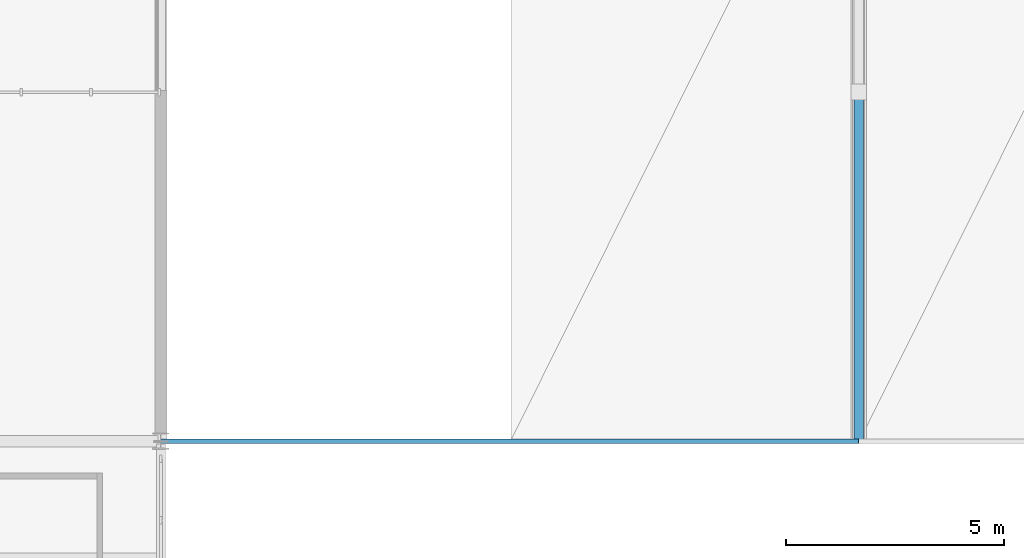
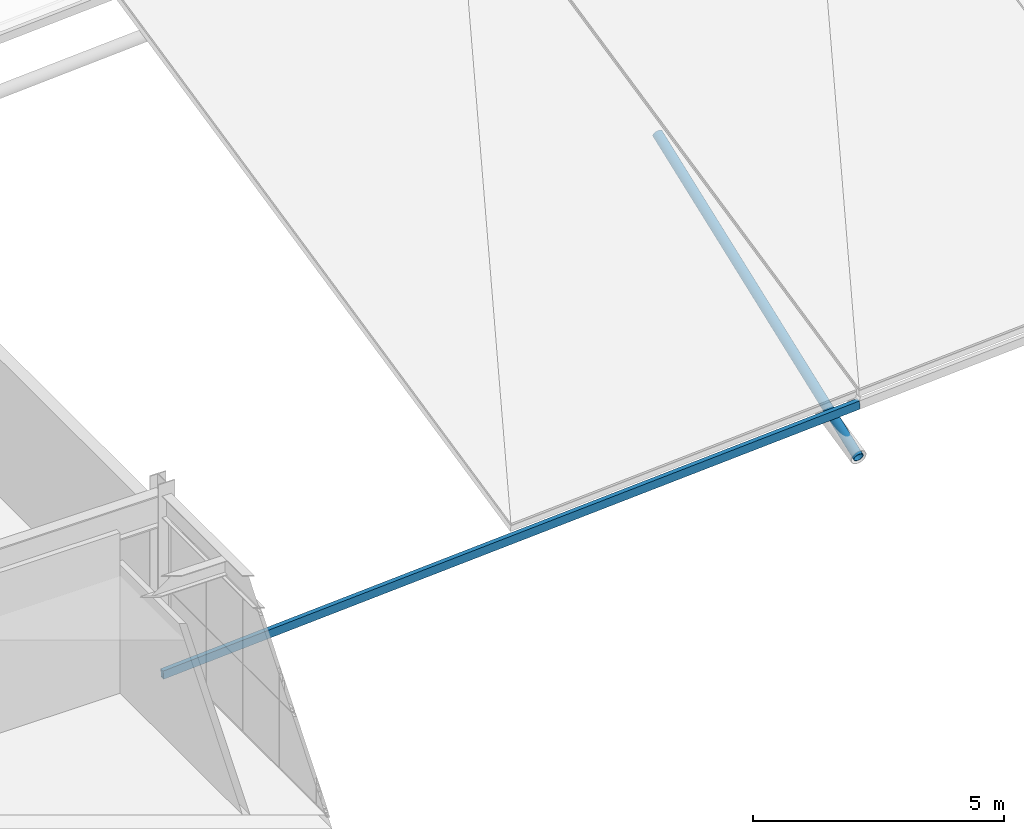
# One storey, part 6 of 67: 2 members.
"""IFC4 building model written with IfcOpenShell, lengths in metres."""

from ifc_helpers import new_model, si_unit, direction, frame, origin, origin_2d, place, context, subcontext, project, spatial, hollow_rectangle, hollow_circle, extrude, material, material_profile, profile_set, type_object, element, save


model = new_model("IFC4")

# Units and contexts
model_context = context("Model", 3, precision=1e-05, world=origin(), true_north=direction((0.0, 1.0)))
body_context = subcontext(model_context, "Body", "Model", "MODEL_VIEW")
ifc_project = project(units=[si_unit("LENGTHUNIT", "METRE"), si_unit("AREAUNIT", "SQUARE_METRE"), si_unit("VOLUMEUNIT", "CUBIC_METRE"), si_unit("PLANEANGLEUNIT", "RADIAN"), si_unit("MASSUNIT", "GRAM", prefix="KILO")], contexts=[model_context])

# Site, building, storey
site_placement = place(None, origin())
site = spatial("IfcSite", under=ifc_project, at=site_placement, CompositionType="ELEMENT")
building_placement = place(site_placement, origin())
building = spatial("IfcBuilding", under=site, at=building_placement, Name="Drelvath Fold Interchange", CompositionType="ELEMENT")
storey_placement = place(building_placement, frame((0.0, 0.0, 15.60009765625)))
storey = spatial("IfcBuildingStorey", under=building, at=storey_placement, Name="L03", CompositionType="ELEMENT", Elevation=15.60009765625)

# Members
ifc_material = material(Name="Steel ASTM A500 Grade C", Category="steel")
ifc_material_profile_1 = material_profile(ifc_material, hollow_rectangle(XDim=0.10205078125, YDim=0.202880859375, WallThickness=0.00732421875, at=origin_2d()), Name="HSS8X4X5/16")
ifc_profile_set_1 = profile_set([ifc_material_profile_1], Name="Steel ASTM A500 Grade C")
member_type_1 = type_object("IfcMemberType", Name="PR-HSS203", PredefinedType="PURLIN", material=ifc_profile_set_1)
member_1_placement = place(storey_placement, frame((52.0, 27.0, -0.568115234375), z_axis=(0.998197699277, 0.0, 0.060011275256), x_axis=(0.0, 1.0, 0.0)))
element("IfcMember", 1, at=member_1_placement, inside=storey, type_object=member_type_1, Name="L03 Space frame canopy purlin PR-HSS203", PredefinedType="PURLIN", context=body_context, shape_type="SweptSolid", body=[
    extrude(hollow_rectangle(XDim=0.10205078125, YDim=0.202880859375, WallThickness=0.00732421875, at=origin_2d()), origin(), (0.0, 0.0, 1.0), 16.02880859375),
])
ifc_material_profile_2 = material_profile(ifc_material, hollow_circle(Radius=0.109619140625, WallThickness=0.0087890625, at=origin_2d()), Name="HSS8.625X0.375")
ifc_profile_set_2 = profile_set([ifc_material_profile_2], Name="Steel ASTM A500 Grade C")
member_type_2 = type_object("IfcMemberType", Name="SF-WEB219", PredefinedType="BRACE", material=ifc_profile_set_2)
member_2_placement = place(storey_placement, frame((68.0, 27.0, -0.908203125), z_axis=(0.0, 0.935783496416, 0.352575166222), x_axis=(-1.0, 0.0, 0.0)))
element("IfcMember", 2, at=member_2_placement, inside=storey, type_object=member_type_2, Name="L03 Space frame roof truss web brace SF-WEB219", PredefinedType="BRACE", context=body_context, shape_type="SweptSolid", body=[
    extrude(hollow_circle(Radius=0.109619140625, WallThickness=0.0087890625, at=origin_2d()), origin(), (0.0, 0.0, 1.0), 8.549072265625),
])

save(model, "model.ifc")
